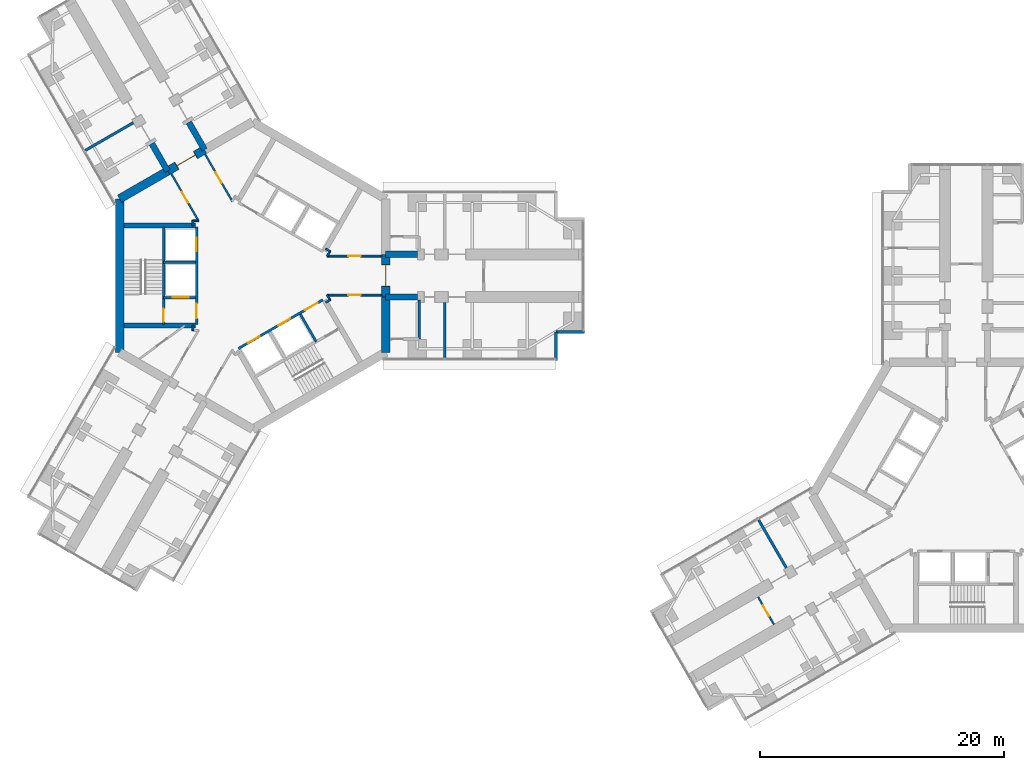
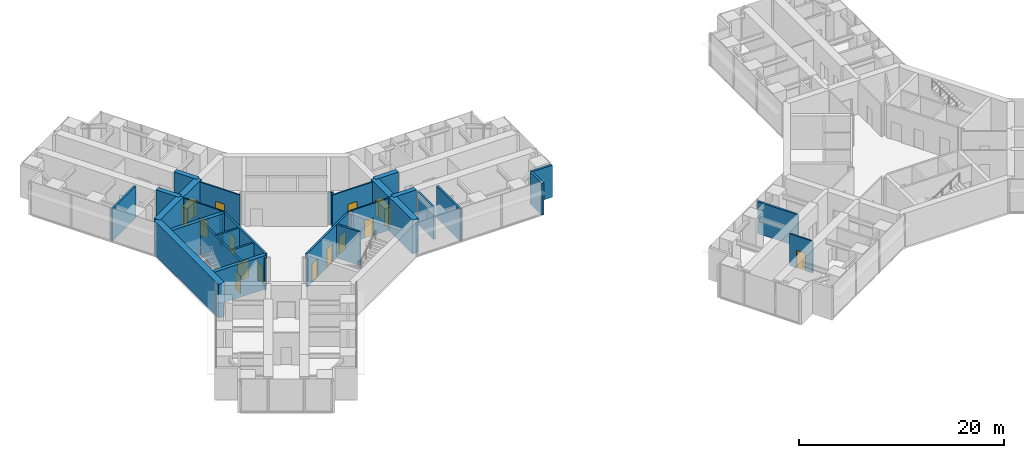
# One storey, part 17 of 23: 35 walls, 14 doors, 14 openings.
"""IFC4 building model written with IfcOpenShell, lengths in metres."""

from ifc_helpers import new_model, si_unit, direction, frame, frame_2d, origin, place, context, subcontext, project, spatial, rectangle, extrude, material, layer, layer_set, type_object, element, fill, save


model = new_model("IFC4")

# Units and contexts
model_context = context("Model", 3, precision=1e-05, world=origin(), true_north=direction((0.0, 1.0)))
body_context = subcontext(model_context, "Body", "Model", "MODEL_VIEW")
ifc_project = project(units=[si_unit("LENGTHUNIT", "METRE"), si_unit("AREAUNIT", "SQUARE_METRE"), si_unit("VOLUMEUNIT", "CUBIC_METRE"), si_unit("PLANEANGLEUNIT", "RADIAN"), si_unit("MASSUNIT", "GRAM", prefix="KILO")], contexts=[model_context])

# Site, building, storey
site_placement = place(None, origin())
site = spatial("IfcSite", under=ifc_project, at=site_placement, CompositionType="ELEMENT")
building_placement = place(site_placement, origin())
building = spatial("IfcBuilding", under=site, at=building_placement, Name="Upepo Twin Towers", CompositionType="ELEMENT")
storey_placement = place(building_placement, frame((0.0, 0.0, 32.5)))
storey = spatial("IfcBuildingStorey", under=building, at=storey_placement, Name="L07", CompositionType="ELEMENT", Elevation=32.5)

# Walls
ifc_material_1 = material(Name="Concrete blockwork, plastered both faces", Category="masonry")
ifc_layer_1 = layer(ifc_material_1, 0.215087890625)
ifc_layer_set_1 = layer_set([ifc_layer_1], Name="Blockwork partition 215")
wall_type_1 = type_object("IfcWallType", Name="Blockwork partition 215", PredefinedType="PARTITIONING", material=ifc_layer_set_1)
wall_1_placement = place(storey_placement, frame((15.75, -2.199951171875, 0.0), z_axis=(0.0, 0.0, 1.0), x_axis=(0.0, -1.0, 0.0)))
element("IfcWall", 1, at=wall_1_placement, inside=storey, type_object=wall_type_1, Name="T1 partition AR at 15.75", PredefinedType="PARTITIONING", context=body_context, shape_type="SweptSolid", body=[
    extrude(rectangle(XDim=4.550048828125, YDim=0.215087890625, at=frame_2d((2.27490234375, 0.0))), origin(), (0.0, 0.0, 1.0), 3.800048828125),
])
wall_2_placement = place(storey_placement, frame((13.657958984375, -2.0, 0.0), z_axis=(0.0, 0.0, 1.0), x_axis=(0.0, -1.0, 0.0)))
element("IfcWall", 2, at=wall_2_placement, inside=storey, type_object=wall_type_1, Name="T1 WC bay partition AR end at 13.66", PredefinedType="PARTITIONING", context=body_context, shape_type="SweptSolid", body=[
    extrude(rectangle(XDim=3.199951171875, YDim=0.215087890625, at=frame_2d((1.60009765625, 0.0))), origin(), (0.0, 0.0, 1.0), 3.800048828125),
])
for number, where, z_axis, x_axis, name in (
    (3, (-9.7802734375, 12.539794921875, 0.0), (0.0, 0.0, 1.0), (-0.866035472144, -0.499982560684, 0.0), "T1 partition BL at 15.75"),
    (4, (43.760009765625, -23.9697265625, 0.0), (0.0, 0.0, 1.0), (-0.499982560684, 0.866035472144, 0.0), "T2 partition BR at 15.75"),
):
    element("IfcWall", number, at=place(storey_placement, frame(where, z_axis=z_axis, x_axis=x_axis)), inside=storey, type_object=wall_type_1, Name=name, PredefinedType="PARTITIONING", context=body_context, shape_type="SweptSolid", body=[
        extrude(rectangle(XDim=4.550048828125, YDim=0.215087890625, at=frame_2d((2.27490234375, 0.0))), origin(), (0.0, 0.0, 1.0), 3.800048828125),
    ])
ifc_material_2 = material(Name="Concrete C60/75", Category="concrete")
ifc_layer_2 = layer(ifc_material_2, 0.5)
ifc_layer_set_2 = layer_set([ifc_layer_2], Name="Concrete C60/75")
wall_type_2 = type_object("IfcWallType", Name="Buttress wall 500 RC", PredefinedType="SHEAR", material=ifc_layer_set_2)
for number, where, z_axis, x_axis, name in (
    (5, (10.908447265625, 1.75, 0.0), (0.0, 0.0, 1.0), (1.0, 0.0, 0.0), "T1 wing A buttress wall L"),
    (6, (10.908447265625, -1.75, 0.0), (0.0, 0.0, 1.0), (1.0, 0.0, 0.0), "T1 wing A buttress wall R"),
):
    element("IfcWall", number, at=place(storey_placement, frame(where, z_axis=z_axis, x_axis=x_axis)), inside=storey, type_object=wall_type_2, Name=name, PredefinedType="SHEAR", context=body_context, shape_type="SweptSolid", body=[
        extrude(rectangle(XDim=2.591552734375, YDim=0.5, at=frame_2d((1.2958984375, 0.0))), origin(), (0.0, 0.0, 1.0), 4.0),
    ])
for number, where, z_axis, x_axis, name in (
    (7, (-6.9697265625, 8.57177734375, 0.0), (0.0, 0.0, 1.0), (-0.499988811324, 0.866031863473, 0.0), "T1 wing B buttress wall L"),
    (8, (-3.938720703125, 10.32177734375, 0.0), (0.0, 0.0, 1.0), (-0.499918158782, 0.866072649678, 0.0), "T1 wing B buttress wall R"),
):
    element("IfcWall", number, at=place(storey_placement, frame(where, z_axis=z_axis, x_axis=x_axis)), inside=storey, type_object=wall_type_2, Name=name, PredefinedType="SHEAR", context=body_context, shape_type="SweptSolid", body=[
        extrude(rectangle(XDim=2.591796875, YDim=0.5, at=frame_2d((1.2958984375, 0.0))), origin(), (0.0, 0.0, 1.0), 4.0),
    ])
ifc_material_3 = material(Name="Concrete C60/75", Category="concrete")
ifc_layer_3 = layer(ifc_material_3, 0.699951171875)
ifc_layer_set_3 = layer_set([ifc_layer_3], Name="Concrete C60/75")
wall_type_3 = type_object("IfcWallType", Name="Core wall 700 RC", PredefinedType="SHEAR", material=ifc_layer_set_3)
wall_3_placement = place(storey_placement, frame((10.908447265625, -6.2978515625, 0.0), z_axis=(0.0, 0.0, 1.0), x_axis=(0.0, 1.0, 0.0)))
element("IfcWall", 9, at=wall_3_placement, inside=storey, type_object=wall_type_3, Name="T1 core wall 000 R", PredefinedType="SHEAR", context=body_context, shape_type="SweptSolid", body=[
    extrude(rectangle(XDim=4.5478515625, YDim=0.699951171875, at=frame_2d((2.27392578125, 0.0))), origin(), (0.0, 0.0, 1.0), 4.0),
])

# Wall, opening, door
wall_4_placement = place(storey_placement, frame((10.908447265625, -1.75, 0.0), z_axis=(0.0, 0.0, 1.0), x_axis=(0.0, 1.0, 0.0)))
wall_4 = element("IfcWall", 10, at=wall_4_placement, inside=storey, type_object=wall_type_3, Name="T1 core wall 000", PredefinedType="SHEAR", context=body_context, shape_type="SweptSolid", body=[
    extrude(rectangle(XDim=3.5, YDim=0.699951171875, at=frame_2d((1.75, 0.0))), origin(), (0.0, 0.0, 1.0), 4.0),
])
opening_1_placement = place(wall_4_placement, frame((0.85009765625, 0.0, 0.0)))
opening_1 = element("IfcOpeningElement", 11, at=opening_1_placement, cuts=wall_4, Name="Opening D2", PredefinedType="OPENING", context=body_context, shape_type="SweptSolid", body=[
    extrude(rectangle(XDim=1.800048828125, YDim=2.10009765625, at=frame_2d((0.89990234375, 1.050048828125))), frame((0.0, 0.35986328125, 0.0), z_axis=(0.0, -1.0, 0.0), x_axis=(1.0, 0.0, 0.0)), (0.0, 0.0, 1.0), 0.719970703125),
])
ifc_material_4 = material(Name="Timber doorset", Category="wood")
door_type_1 = type_object("IfcDoorType", Name="Corridor double door 1800 FD60", OperationType="DOUBLE_DOOR_DOUBLE_SWING", PredefinedType="DOOR", material=ifc_material_4)
door_1_placement = place(opening_1_placement, origin())
door_1 = element("IfcDoor", 12, at=door_1_placement, inside=storey, type_object=door_type_1, Name="T1 L07 wing A corridor door", OperationType="DOUBLE_DOOR_DOUBLE_SWING", OverallHeight=2.10009765625, OverallWidth=1.800048828125, PredefinedType="DOOR", context=body_context, shape_type="SweptSolid", body=[
    extrude(rectangle(XDim=1.720048828125, YDim=2.06009765625, at=frame_2d((0.89990234375, 1.030029296875))), frame((0.0, 0.02490234375, 0.0), z_axis=(0.0, -1.0, 0.0), x_axis=(1.0, 0.0, 0.0)), (0.0, 0.0, 1.0), 0.050048828125),
    extrude(rectangle(XDim=0.04, YDim=2.10009765625, at=frame_2d((0.02001953125, 1.050048828125))), frame((0.0, 0.349609375, 0.0), z_axis=(0.0, -1.0, 0.0), x_axis=(1.0, 0.0, 0.0)), (0.0, 0.0, 1.0), 0.699462890625),
    extrude(rectangle(XDim=0.04, YDim=2.10009765625, at=frame_2d((1.780029296875, 1.050048828125))), frame((0.0, 0.349609375, 0.0), z_axis=(0.0, -1.0, 0.0), x_axis=(1.0, 0.0, 0.0)), (0.0, 0.0, 1.0), 0.699462890625),
    extrude(rectangle(XDim=1.720048828125, YDim=0.04, at=frame_2d((0.89990234375, 2.080078125))), frame((0.0, 0.349609375, 0.0), z_axis=(0.0, -1.0, 0.0), x_axis=(1.0, 0.0, 0.0)), (0.0, 0.0, 1.0), 0.699462890625),
])
fill(opening_1, door_1)

wall_5_placement = place(storey_placement, frame((-3.938720703125, 10.32177734375, 0.0), z_axis=(0.0, 0.0, 1.0), x_axis=(-0.866019471182, -0.500010275428, 0.0)))
wall_5 = element("IfcWall", 13, at=wall_5_placement, inside=storey, type_object=wall_type_3, Name="T1 core wall 120", PredefinedType="SHEAR", context=body_context, shape_type="SweptSolid", body=[
    extrude(rectangle(XDim=3.5, YDim=0.699951171875, at=frame_2d((1.75, 0.0))), origin(), (0.0, 0.0, 1.0), 4.0),
])
opening_2_placement = place(wall_5_placement, frame((0.85009765625, 0.0, 0.0)))
opening_2 = element("IfcOpeningElement", 14, at=opening_2_placement, cuts=wall_5, Name="Opening D2", PredefinedType="OPENING", context=body_context, shape_type="SweptSolid", body=[
    extrude(rectangle(XDim=1.800048828125, YDim=2.10009765625, at=frame_2d((0.89990234375, 1.050048828125))), frame((0.0, 0.35986328125, 0.0), z_axis=(0.0, -1.0, 0.0), x_axis=(1.0, 0.0, 0.0)), (0.0, 0.0, 1.0), 0.719970703125),
])
door_2_placement = place(opening_2_placement, origin())
door_2 = element("IfcDoor", 15, at=door_2_placement, inside=storey, type_object=door_type_1, Name="T1 L07 wing B corridor door", OperationType="DOUBLE_DOOR_DOUBLE_SWING", OverallHeight=2.10009765625, OverallWidth=1.800048828125, PredefinedType="DOOR", context=body_context, shape_type="SweptSolid", body=[
    extrude(rectangle(XDim=1.720048828125, YDim=2.06009765625, at=frame_2d((0.89990234375, 1.030029296875))), frame((0.0, 0.02490234375, 0.0), z_axis=(0.0, -1.0, 0.0), x_axis=(1.0, 0.0, 0.0)), (0.0, 0.0, 1.0), 0.050048828125),
    extrude(rectangle(XDim=0.04, YDim=2.10009765625, at=frame_2d((0.02001953125, 1.050048828125))), frame((0.0, 0.349609375, 0.0), z_axis=(0.0, -1.0, 0.0), x_axis=(1.0, 0.0, 0.0)), (0.0, 0.0, 1.0), 0.699462890625),
    extrude(rectangle(XDim=0.04, YDim=2.10009765625, at=frame_2d((1.780029296875, 1.050048828125))), frame((0.0, 0.349609375, 0.0), z_axis=(0.0, -1.0, 0.0), x_axis=(1.0, 0.0, 0.0)), (0.0, 0.0, 1.0), 0.699462890625),
    extrude(rectangle(XDim=1.720048828125, YDim=0.04, at=frame_2d((0.89990234375, 2.080078125))), frame((0.0, 0.349609375, 0.0), z_axis=(0.0, -1.0, 0.0), x_axis=(1.0, 0.0, 0.0)), (0.0, 0.0, 1.0), 0.699462890625),
])
fill(opening_2, door_2)

# Walls
wall_6_placement = place(storey_placement, frame((-6.9697265625, 8.57177734375, 0.0), z_axis=(0.0, 0.0, 1.0), x_axis=(-0.866034513004, -0.499984222037, 0.0)))
element("IfcWall", 16, at=wall_6_placement, inside=storey, type_object=wall_type_3, Name="T1 core wall 120 L", PredefinedType="SHEAR", context=body_context, shape_type="SweptSolid", body=[
    extrude(rectangle(XDim=4.548095703125, YDim=0.699951171875, at=frame_2d((2.27392578125, 0.0))), origin(), (0.0, 0.0, 1.0), 4.0),
])
wall_7_placement = place(storey_placement, frame((-10.908447265625, 6.2978515625, 0.0), z_axis=(0.0, 0.0, 1.0), x_axis=(0.0, -1.0, 0.0)))
element("IfcWall", 17, at=wall_7_placement, inside=storey, type_object=wall_type_3, Name="T1 core wall 180", PredefinedType="SHEAR", context=body_context, shape_type="SweptSolid", body=[
    extrude(rectangle(XDim=12.595703125, YDim=0.699951171875, at=frame_2d((6.2978515625, 0.0))), origin(), (0.0, 0.0, 1.0), 4.0),
])
ifc_material_5 = material(Name="Blockwork with anodised aluminium cladding", Category="masonry")
ifc_layer_4 = layer(ifc_material_5, 0.25)
ifc_layer_set_4 = layer_set([ifc_layer_4], Name="Notch cladding wall 250, pale metal")
wall_type_4 = type_object("IfcWallType", Name="Notch cladding wall 250, pale metal", PredefinedType="STANDARD", material=ifc_layer_set_4)
for number, where, z_axis, x_axis, name in (
    (18, (24.875, -6.949951171875, 0.0), (0.0, 0.0, 1.0), (0.0, 1.0, 0.0), "T1 L07 wing A notch wall R1"),
    (19, (24.875, -4.625, 0.0), (0.0, 0.0, 1.0), (1.0, 0.0, 0.0), "T1 L07 wing A notch wall R2"),
):
    element("IfcWall", number, at=place(storey_placement, frame(where, z_axis=z_axis, x_axis=x_axis)), inside=storey, type_object=wall_type_4, Name=name, PredefinedType="STANDARD", context=body_context, shape_type="SweptSolid", body=[
        extrude(rectangle(XDim=2.324951171875, YDim=0.25, at=frame_2d((1.16259765625, 0.0))), origin(), (0.0, 0.0, 1.0), 3.800048828125),
    ])

# Wall, openings, doors
ifc_material_6 = material(Name="Concrete C40/50", Category="concrete")
ifc_layer_5 = layer(ifc_material_6, 0.199951171875)
ifc_layer_set_5 = layer_set([ifc_layer_5], Name="Concrete C40/50")
wall_type_5 = type_object("IfcWallType", Name="Shaft wall 200 RC", PredefinedType="SHEAR", material=ifc_layer_set_5)
wall_8_placement = place(storey_placement, frame((-4.60009765625, 4.0, 0.0), z_axis=(0.0, 0.0, 1.0), x_axis=(0.0, -1.0, 0.0)))
wall_8 = element("IfcWall", 20, at=wall_8_placement, inside=storey, type_object=wall_type_5, Name="T1 core W180 front wall", PredefinedType="SHEAR", context=body_context, shape_type="SweptSolid", body=[
    extrude(rectangle(XDim=8.0, YDim=0.199951171875, at=frame_2d((4.0, 0.0))), origin(), (0.0, 0.0, 1.0), 4.0),
])
opening_3_placement = place(wall_8_placement, frame((6.300048828125, 0.0, 0.0)))
opening_3 = element("IfcOpeningElement", 21, at=opening_3_placement, cuts=wall_8, Name="Opening D4", PredefinedType="OPENING", context=body_context, shape_type="SweptSolid", body=[
    extrude(rectangle(XDim=1.199951171875, YDim=2.10009765625, at=frame_2d((0.60009765625, 1.050048828125))), frame((0.0, 0.10986328125, 0.0), z_axis=(0.0, -1.0, 0.0), x_axis=(1.0, 0.0, 0.0)), (0.0, 0.0, 1.0), 0.219970703125),
])
opening_4_placement = place(wall_8_placement, frame((0.89990234375, 0.0, 0.0)))
opening_4 = element("IfcOpeningElement", 22, at=opening_4_placement, cuts=wall_8, Name="Opening LD1", PredefinedType="OPENING", context=body_context, shape_type="SweptSolid", body=[
    extrude(rectangle(XDim=1.10009765625, YDim=2.199951171875, at=frame_2d((0.550048828125, 1.10009765625))), frame((0.0, 0.10986328125, 0.0), z_axis=(0.0, -1.0, 0.0), x_axis=(1.0, 0.0, 0.0)), (0.0, 0.0, 1.0), 0.219970703125),
])
ifc_material_7 = material(Name="Steel doorset", Category="steel")
door_type_2 = type_object("IfcDoorType", Name="Lift landing door 1100", OperationType="DOUBLE_DOOR_SLIDING", PredefinedType="DOOR", material=ifc_material_7)
door_3_placement = place(opening_4_placement, origin())
door_3 = element("IfcDoor", 23, at=door_3_placement, inside=storey, type_object=door_type_2, Name="T1 L07 lift SV1 landing door", OperationType="DOUBLE_DOOR_SLIDING", OverallHeight=2.199951171875, OverallWidth=1.10009765625, PredefinedType="DOOR", context=body_context, shape_type="SweptSolid", body=[
    extrude(rectangle(XDim=1.10009765625, YDim=2.199951171875, at=frame_2d((0.550048828125, 1.10009765625))), frame((0.0, 0.02490234375, 0.0), z_axis=(0.0, -1.0, 0.0), x_axis=(1.0, 0.0, 0.0)), (0.0, 0.0, 1.0), 0.050048828125),
])
fill(opening_4, door_3)
ifc_material_8 = material(Name="Timber doorset", Category="wood")
door_type_3 = type_object("IfcDoorType", Name="Lobby door 1200 FD60", OperationType="SINGLE_SWING_LEFT", PredefinedType="DOOR", material=ifc_material_8)
door_4_placement = place(opening_3_placement, origin())
door_4 = element("IfcDoor", 24, at=door_4_placement, inside=storey, type_object=door_type_3, Name="T1 L07 W180 lobby door", OperationType="SINGLE_SWING_RIGHT", OverallHeight=2.10009765625, OverallWidth=1.199951171875, PredefinedType="DOOR", context=body_context, shape_type="SweptSolid", body=[
    extrude(rectangle(XDim=1.199951171875, YDim=2.10009765625, at=frame_2d((0.60009765625, 1.050048828125))), frame((0.0, 0.02490234375, 0.0), z_axis=(0.0, -1.0, 0.0), x_axis=(1.0, 0.0, 0.0)), (0.0, 0.0, 1.0), 0.050048828125),
])
fill(opening_3, door_4)

# Wall
wall_9_placement = place(storey_placement, frame((-4.699951171875, 1.10009765625, 0.0), z_axis=(0.0, 0.0, 1.0), x_axis=(-1.0, 0.0, 0.0)))
element("IfcWall", 25, at=wall_9_placement, inside=storey, type_object=wall_type_5, Name="T1 core W180 shaft divider", PredefinedType="SHEAR", context=body_context, shape_type="SweptSolid", body=[
    extrude(rectangle(XDim=2.60009765625, YDim=0.199951171875, at=frame_2d((1.300048828125, 0.0))), origin(), (0.0, 0.0, 1.0), 4.0),
])

# Wall, opening, door
wall_10_placement = place(storey_placement, frame((-4.699951171875, -1.800048828125, 0.0), z_axis=(0.0, 0.0, 1.0), x_axis=(-1.0, 0.0, 0.0)))
wall_10 = element("IfcWall", 26, at=wall_10_placement, inside=storey, type_object=wall_type_5, Name="T1 core W180 lobby wall", PredefinedType="SHEAR", context=body_context, shape_type="SweptSolid", body=[
    extrude(rectangle(XDim=2.60009765625, YDim=0.199951171875, at=frame_2d((1.300048828125, 0.0))), origin(), (0.0, 0.0, 1.0), 4.0),
])
opening_5_placement = place(wall_10_placement, frame((0.550048828125, 0.0, 0.0)))
opening_5 = element("IfcOpeningElement", 27, at=opening_5_placement, cuts=wall_10, Name="Opening LD2", PredefinedType="OPENING", context=body_context, shape_type="SweptSolid", body=[
    extrude(rectangle(XDim=1.300048828125, YDim=2.199951171875, at=frame_2d((0.64990234375, 1.10009765625))), frame((0.0, 0.10986328125, 0.0), z_axis=(0.0, -1.0, 0.0), x_axis=(1.0, 0.0, 0.0)), (0.0, 0.0, 1.0), 0.219970703125),
])
ifc_material_9 = material(Name="Steel doorset", Category="steel")
door_type_4 = type_object("IfcDoorType", Name="Firefighting lift landing door 1300", OperationType="DOUBLE_DOOR_SLIDING", PredefinedType="DOOR", material=ifc_material_9)
door_5_placement = place(opening_5_placement, origin())
door_5 = element("IfcDoor", 28, at=door_5_placement, inside=storey, type_object=door_type_4, Name="T1 L07 firefighting lift landing door", OperationType="DOUBLE_DOOR_SLIDING", OverallHeight=2.199951171875, OverallWidth=1.300048828125, PredefinedType="DOOR", context=body_context, shape_type="SweptSolid", body=[
    extrude(rectangle(XDim=1.300048828125, YDim=2.199951171875, at=frame_2d((0.64990234375, 1.10009765625))), frame((0.0, 0.02490234375, 0.0), z_axis=(0.0, -1.0, 0.0), x_axis=(1.0, 0.0, 0.0)), (0.0, 0.0, 1.0), 0.050048828125),
])
fill(opening_5, door_5)

wall_11_placement = place(storey_placement, frame((-7.300048828125, 4.0, 0.0), z_axis=(0.0, 0.0, 1.0), x_axis=(0.0, -1.0, 0.0)))
wall_11 = element("IfcWall", 29, at=wall_11_placement, inside=storey, type_object=wall_type_5, Name="T1 core W180 stair wall", PredefinedType="SHEAR", context=body_context, shape_type="SweptSolid", body=[
    extrude(rectangle(XDim=8.0, YDim=0.199951171875, at=frame_2d((4.0, 0.0))), origin(), (0.0, 0.0, 1.0), 4.0),
])
opening_6_placement = place(wall_11_placement, frame((6.699951171875, 0.0, 0.0)))
opening_6 = element("IfcOpeningElement", 30, at=opening_6_placement, cuts=wall_11, Name="Opening D3", PredefinedType="OPENING", context=body_context, shape_type="SweptSolid", body=[
    extrude(rectangle(XDim=1.10009765625, YDim=2.10009765625, at=frame_2d((0.550048828125, 1.050048828125))), frame((0.0, 0.10986328125, 0.0), z_axis=(0.0, -1.0, 0.0), x_axis=(1.0, 0.0, 0.0)), (0.0, 0.0, 1.0), 0.219970703125),
])
ifc_material_10 = material(Name="Timber doorset", Category="wood")
door_type_5 = type_object("IfcDoorType", Name="Stair door 1100 FD60", OperationType="SINGLE_SWING_LEFT", PredefinedType="DOOR", material=ifc_material_10)
door_6_placement = place(opening_6_placement, origin())
door_6 = element("IfcDoor", 31, at=door_6_placement, inside=storey, type_object=door_type_5, Name="T1 L07 stair door", OperationType="SINGLE_SWING_RIGHT", OverallHeight=2.10009765625, OverallWidth=1.10009765625, PredefinedType="DOOR", context=body_context, shape_type="SweptSolid", body=[
    extrude(rectangle(XDim=1.10009765625, YDim=2.10009765625, at=frame_2d((0.550048828125, 1.050048828125))), frame((0.0, 0.02490234375, 0.0), z_axis=(0.0, -1.0, 0.0), x_axis=(1.0, 0.0, 0.0)), (0.0, 0.0, 1.0), 0.050048828125),
])
fill(opening_6, door_6)

# Wall, openings, doors
wall_12_placement = place(storey_placement, frame((-1.1640625, -5.983642578125, 0.0), z_axis=(0.0, 0.0, 1.0), x_axis=(0.866026010844, 0.49999894854, 0.0)))
wall_12 = element("IfcWall", 32, at=wall_12_placement, inside=storey, type_object=wall_type_5, Name="T1 core W300 front wall", PredefinedType="SHEAR", context=body_context, shape_type="SweptSolid", body=[
    extrude(rectangle(XDim=8.0, YDim=0.199951171875, at=frame_2d((4.0, 0.0))), origin(), (0.0, 0.0, 1.0), 4.0),
])
opening_7_placement = place(wall_12_placement, frame((6.300048828125, 0.0, 0.0)))
opening_7 = element("IfcOpeningElement", 33, at=opening_7_placement, cuts=wall_12, Name="Opening D4", PredefinedType="OPENING", context=body_context, shape_type="SweptSolid", body=[
    extrude(rectangle(XDim=1.199951171875, YDim=2.10009765625, at=frame_2d((0.60009765625, 1.050048828125))), frame((0.0, 0.10986328125, 0.0), z_axis=(0.0, -1.0, 0.0), x_axis=(1.0, 0.0, 0.0)), (0.0, 0.0, 1.0), 0.219970703125),
])
opening_8_placement = place(wall_12_placement, frame((0.89990234375, 0.0, 0.0)))
opening_8 = element("IfcOpeningElement", 34, at=opening_8_placement, cuts=wall_12, Name="Opening LD1", PredefinedType="OPENING", context=body_context, shape_type="SweptSolid", body=[
    extrude(rectangle(XDim=1.10009765625, YDim=2.199951171875, at=frame_2d((0.550048828125, 1.10009765625))), frame((0.0, 0.10986328125, 0.0), z_axis=(0.0, -1.0, 0.0), x_axis=(1.0, 0.0, 0.0)), (0.0, 0.0, 1.0), 0.219970703125),
])
opening_9_placement = place(wall_12_placement, frame((3.800048828125, 0.0, 0.0)))
opening_9 = element("IfcOpeningElement", 35, at=opening_9_placement, cuts=wall_12, Name="Opening LD1", PredefinedType="OPENING", context=body_context, shape_type="SweptSolid", body=[
    extrude(rectangle(XDim=1.10009765625, YDim=2.199951171875, at=frame_2d((0.550048828125, 1.10009765625))), frame((0.0, 0.10986328125, 0.0), z_axis=(0.0, -1.0, 0.0), x_axis=(1.0, 0.0, 0.0)), (0.0, 0.0, 1.0), 0.219970703125),
])
door_7_placement = place(opening_8_placement, origin())
door_7 = element("IfcDoor", 36, at=door_7_placement, inside=storey, type_object=door_type_2, Name="T1 L07 lift LL1 landing door", OperationType="DOUBLE_DOOR_SLIDING", OverallHeight=2.199951171875, OverallWidth=1.10009765625, PredefinedType="DOOR", context=body_context, shape_type="SweptSolid", body=[
    extrude(rectangle(XDim=1.10009765625, YDim=2.199951171875, at=frame_2d((0.550048828125, 1.10009765625))), frame((0.0, 0.02490234375, 0.0), z_axis=(0.0, -1.0, 0.0), x_axis=(1.0, 0.0, 0.0)), (0.0, 0.0, 1.0), 0.050048828125),
])
fill(opening_8, door_7)
door_8_placement = place(opening_9_placement, origin())
door_8 = element("IfcDoor", 37, at=door_8_placement, inside=storey, type_object=door_type_2, Name="T1 L07 lift LL2 landing door", OperationType="DOUBLE_DOOR_SLIDING", OverallHeight=2.199951171875, OverallWidth=1.10009765625, PredefinedType="DOOR", context=body_context, shape_type="SweptSolid", body=[
    extrude(rectangle(XDim=1.10009765625, YDim=2.199951171875, at=frame_2d((0.550048828125, 1.10009765625))), frame((0.0, 0.02490234375, 0.0), z_axis=(0.0, -1.0, 0.0), x_axis=(1.0, 0.0, 0.0)), (0.0, 0.0, 1.0), 0.050048828125),
])
fill(opening_9, door_8)
door_9_placement = place(opening_7_placement, origin())
door_9 = element("IfcDoor", 38, at=door_9_placement, inside=storey, type_object=door_type_3, Name="T1 L07 W300 lobby door", OperationType="SINGLE_SWING_RIGHT", OverallHeight=2.10009765625, OverallWidth=1.199951171875, PredefinedType="DOOR", context=body_context, shape_type="SweptSolid", body=[
    extrude(rectangle(XDim=1.199951171875, YDim=2.10009765625, at=frame_2d((0.60009765625, 1.050048828125))), frame((0.0, 0.02490234375, 0.0), z_axis=(0.0, -1.0, 0.0), x_axis=(1.0, 0.0, 0.0)), (0.0, 0.0, 1.0), 0.050048828125),
])
fill(opening_7, door_9)

# Walls
wall_13_placement = place(storey_placement, frame((3.908935546875, -3.17041015625, 0.0), z_axis=(0.0, 0.0, 1.0), x_axis=(0.49997716683, -0.86603858612, 0.0)))
element("IfcWall", 39, at=wall_13_placement, inside=storey, type_object=wall_type_5, Name="T1 core W300 lobby wall", PredefinedType="SHEAR", context=body_context, shape_type="SweptSolid", body=[
    extrude(rectangle(XDim=2.599609375, YDim=0.199951171875, at=frame_2d((1.2998046875, 0.0))), origin(), (0.0, 0.0, 1.0), 4.0),
])
ifc_material_11 = material(Name="Concrete C40/50", Category="concrete")
ifc_layer_6 = layer(ifc_material_11, 0.39990234375)
ifc_layer_set_6 = layer_set([ifc_layer_6], Name="Concrete C40/50")
wall_type_6 = type_object("IfcWallType", Name="Shaft wall 400 RC", PredefinedType="SHEAR", material=ifc_layer_set_6)
for number, where, z_axis, x_axis, name in (
    (40, (-4.699951171875, -4.10009765625, 0.0), (0.0, 0.0, 1.0), (-1.0, 0.0, 0.0), "T1 core W180 side wall N"),
    (41, (-4.699951171875, 4.10009765625, 0.0), (0.0, 0.0, 1.0), (-1.0, 0.0, 0.0), "T1 core W180 side wall S"),
):
    element("IfcWall", number, at=place(storey_placement, frame(where, z_axis=z_axis, x_axis=x_axis)), inside=storey, type_object=wall_type_6, Name=name, PredefinedType="SHEAR", context=body_context, shape_type="SweptSolid", body=[
        extrude(rectangle(XDim=5.8583984375, YDim=0.39990234375, at=frame_2d((2.92919921875, 0.0))), origin(), (0.0, 0.0, 1.0), 4.0),
    ])
ifc_material_12 = material(Name="Gypsum board on steel studs", Category="steel")
ifc_layer_7 = layer(ifc_material_12, 0.14990234375)
ifc_layer_set_7 = layer_set([ifc_layer_7], Name="Teaching partition 150 acoustic")
wall_type_7 = type_object("IfcWallType", Name="Teaching partition 150 acoustic", PredefinedType="PARTITIONING", material=ifc_layer_set_7)
for number, where, z_axis, x_axis, name in (
    (42, (6.364501953125, -1.9833984375, 0.0), (0.0, 0.0, 1.0), (-0.865892400268, -0.500230298122, 0.0), "T1 core room partition 1"),
    (43, (-4.89990234375, -4.52001953125, 0.0), (0.0, 0.0, 1.0), (0.0, 1.0, 0.0), "T1 core room partition 7"),
    (44, (-4.89990234375, 4.090087890625, 0.0), (0.0, 0.0, 1.0), (0.0, 1.0, 0.0), "T1 core room partition 8"),
):
    element("IfcWall", number, at=place(storey_placement, frame(where, z_axis=z_axis, x_axis=x_axis)), inside=storey, type_object=wall_type_7, Name=name, PredefinedType="PARTITIONING", context=body_context, shape_type="SweptSolid", body=[
        extrude(rectangle(XDim=0.429931640625, YDim=0.14990234375, at=frame_2d((0.21484375, 0.0))), origin(), (0.0, 0.0, 1.0), 3.800048828125),
    ])
wall_14_placement = place(storey_placement, frame((-4.919921875, 4.5, 0.0), z_axis=(0.0, 0.0, 1.0), x_axis=(1.0, 0.0, 0.0)))
element("IfcWall", 45, at=wall_14_placement, inside=storey, type_object=wall_type_7, Name="T1 core room partition 9", PredefinedType="PARTITIONING", context=body_context, shape_type="SweptSolid", body=[
    extrude(rectangle(XDim=0.494384765625, YDim=0.14990234375, at=frame_2d((0.2470703125, 0.0))), origin(), (0.0, 0.0, 1.0), 3.800048828125),
])

# Wall, opening, door
wall_15_placement = place(storey_placement, frame((-4.435546875, 4.482666015625, 0.0), z_axis=(0.0, 0.0, 1.0), x_axis=(-0.500017246033, 0.866015446554, 0.0)))
wall_15 = element("IfcWall", 46, at=wall_15_placement, inside=storey, type_object=wall_type_7, Name="T1 core room partition 10", PredefinedType="PARTITIONING", context=body_context, shape_type="SweptSolid", body=[
    extrude(rectangle(XDim=4.468505859375, YDim=0.14990234375, at=frame_2d((2.234375, 0.0))), origin(), (0.0, 0.0, 1.0), 3.800048828125),
])
opening_10_placement = place(wall_15_placement, frame((1.744384765625, 0.0, 0.0)))
opening_10 = element("IfcOpeningElement", 47, at=opening_10_placement, cuts=wall_15, Name="Opening D1", PredefinedType="OPENING", context=body_context, shape_type="SweptSolid", body=[
    extrude(rectangle(XDim=1.0, YDim=2.10009765625, at=frame_2d((0.5, 1.050048828125))), frame((0.0, 0.0849609375, 0.0), z_axis=(0.0, -1.0, 0.0), x_axis=(1.0, 0.0, 0.0)), (0.0, 0.0, 1.0), 0.169921875),
])
ifc_material_13 = material(Name="Timber doorset", Category="wood")
door_type_6 = type_object("IfcDoorType", Name="Room door 1000 FD30", OperationType="SINGLE_SWING_LEFT", PredefinedType="DOOR", material=ifc_material_13)
door_10_placement = place(opening_10_placement, origin())
door_10 = element("IfcDoor", 48, at=door_10_placement, inside=storey, type_object=door_type_6, Name="T1 L07 core room door K7", OperationType="SINGLE_SWING_RIGHT", OverallHeight=2.10009765625, OverallWidth=1.0, PredefinedType="DOOR", context=body_context, shape_type="SweptSolid", body=[
    extrude(rectangle(XDim=1.0, YDim=2.10009765625, at=frame_2d((0.5, 1.050048828125))), frame((0.0, 0.02490234375, 0.0), z_axis=(0.0, -1.0, 0.0), x_axis=(1.0, 0.0, 0.0)), (0.0, 0.0, 1.0), 0.050048828125),
])
fill(opening_10, door_10)

wall_16_placement = place(storey_placement, frame((-3.8984375, 9.952392578125, 0.0), z_axis=(0.0, 0.0, 1.0), x_axis=(0.499999927604, -0.866025445582, 0.0)))
wall_16 = element("IfcWall", 49, at=wall_16_placement, inside=storey, type_object=wall_type_7, Name="T1 core room partition 11", PredefinedType="PARTITIONING", context=body_context, shape_type="SweptSolid", body=[
    extrude(rectangle(XDim=4.46826171875, YDim=0.14990234375, at=frame_2d((2.234130859375, 0.0))), origin(), (0.0, 0.0, 1.0), 3.800048828125),
])
opening_11_placement = place(wall_16_placement, frame((1.72412109375, 0.0, 0.0)))
opening_11 = element("IfcOpeningElement", 50, at=opening_11_placement, cuts=wall_16, Name="Opening D1", PredefinedType="OPENING", context=body_context, shape_type="SweptSolid", body=[
    extrude(rectangle(XDim=1.0, YDim=2.10009765625, at=frame_2d((0.5, 1.050048828125))), frame((0.0, 0.0849609375, 0.0), z_axis=(0.0, -1.0, 0.0), x_axis=(1.0, 0.0, 0.0)), (0.0, 0.0, 1.0), 0.169921875),
])
door_11_placement = place(opening_11_placement, origin())
door_11 = element("IfcDoor", 51, at=door_11_placement, inside=storey, type_object=door_type_6, Name="T1 L07 core room door K6", OperationType="SINGLE_SWING_LEFT", OverallHeight=2.10009765625, OverallWidth=1.0, PredefinedType="DOOR", context=body_context, shape_type="SweptSolid", body=[
    extrude(rectangle(XDim=1.0, YDim=2.10009765625, at=frame_2d((0.5, 1.050048828125))), frame((0.0, 0.02490234375, 0.0), z_axis=(0.0, -1.0, 0.0), x_axis=(1.0, 0.0, 0.0)), (0.0, 0.0, 1.0), 0.050048828125),
])
fill(opening_11, door_11)

# Walls
wall_17_placement = place(storey_placement, frame((5.9921875, 2.198486328125, 0.0), z_axis=(0.0, 0.0, 1.0), x_axis=(0.865892400268, -0.500230298122, 0.0)))
element("IfcWall", 52, at=wall_17_placement, inside=storey, type_object=wall_type_7, Name="T1 core room partition 14", PredefinedType="PARTITIONING", context=body_context, shape_type="SweptSolid", body=[
    extrude(rectangle(XDim=0.429931640625, YDim=0.14990234375, at=frame_2d((0.21484375, 0.0))), origin(), (0.0, 0.0, 1.0), 3.800048828125),
])
wall_18_placement = place(storey_placement, frame((6.357177734375, 2.0107421875, 0.0), z_axis=(0.0, 0.0, 1.0), x_axis=(-0.50033519877, -0.865831790172, 0.0)))
element("IfcWall", 53, at=wall_18_placement, inside=storey, type_object=wall_type_7, Name="T1 core room partition 15", PredefinedType="PARTITIONING", context=body_context, shape_type="SweptSolid", body=[
    extrude(rectangle(XDim=0.494384765625, YDim=0.14990234375, at=frame_2d((0.2470703125, 0.0))), origin(), (0.0, 0.0, 1.0), 3.800048828125),
])

# Wall, opening, door
wall_19_placement = place(storey_placement, frame((6.099853515625, 1.60009765625, 0.0), z_axis=(0.0, 0.0, 1.0), x_axis=(1.0, 0.0, 0.0)))
wall_19 = element("IfcWall", 54, at=wall_19_placement, inside=storey, type_object=wall_type_7, Name="T1 core room partition 16", PredefinedType="PARTITIONING", context=body_context, shape_type="SweptSolid", body=[
    extrude(rectangle(XDim=4.468505859375, YDim=0.14990234375, at=frame_2d((2.234375, 0.0))), origin(), (0.0, 0.0, 1.0), 3.800048828125),
])
opening_12_placement = place(wall_19_placement, frame((1.744384765625, 0.0, 0.0)))
opening_12 = element("IfcOpeningElement", 55, at=opening_12_placement, cuts=wall_19, Name="Opening D1", PredefinedType="OPENING", context=body_context, shape_type="SweptSolid", body=[
    extrude(rectangle(XDim=1.0, YDim=2.10009765625, at=frame_2d((0.5, 1.050048828125))), frame((0.0, 0.0849609375, 0.0), z_axis=(0.0, -1.0, 0.0), x_axis=(1.0, 0.0, 0.0)), (0.0, 0.0, 1.0), 0.169921875),
])
door_12_placement = place(opening_12_placement, origin())
door_12 = element("IfcDoor", 56, at=door_12_placement, inside=storey, type_object=door_type_6, Name="T1 L07 core room door K5", OperationType="SINGLE_SWING_RIGHT", OverallHeight=2.10009765625, OverallWidth=1.0, PredefinedType="DOOR", context=body_context, shape_type="SweptSolid", body=[
    extrude(rectangle(XDim=1.0, YDim=2.10009765625, at=frame_2d((0.5, 1.050048828125))), frame((0.0, 0.02490234375, 0.0), z_axis=(0.0, -1.0, 0.0), x_axis=(1.0, 0.0, 0.0)), (0.0, 0.0, 1.0), 0.050048828125),
])
fill(opening_12, door_12)

wall_20_placement = place(storey_placement, frame((10.568359375, -1.60009765625, 0.0), z_axis=(0.0, 0.0, 1.0), x_axis=(-1.0, 0.0, 0.0)))
wall_20 = element("IfcWall", 57, at=wall_20_placement, inside=storey, type_object=wall_type_7, Name="T1 core room partition 17", PredefinedType="PARTITIONING", context=body_context, shape_type="SweptSolid", body=[
    extrude(rectangle(XDim=4.468505859375, YDim=0.14990234375, at=frame_2d((2.234375, 0.0))), origin(), (0.0, 0.0, 1.0), 3.800048828125),
])
opening_13_placement = place(wall_20_placement, frame((1.72412109375, 0.0, 0.0)))
opening_13 = element("IfcOpeningElement", 58, at=opening_13_placement, cuts=wall_20, Name="Opening D1", PredefinedType="OPENING", context=body_context, shape_type="SweptSolid", body=[
    extrude(rectangle(XDim=1.0, YDim=2.10009765625, at=frame_2d((0.5, 1.050048828125))), frame((0.0, 0.0849609375, 0.0), z_axis=(0.0, -1.0, 0.0), x_axis=(1.0, 0.0, 0.0)), (0.0, 0.0, 1.0), 0.169921875),
])
door_13_placement = place(opening_13_placement, origin())
door_13 = element("IfcDoor", 59, at=door_13_placement, inside=storey, type_object=door_type_6, Name="T1 L07 core room door K4", OperationType="SINGLE_SWING_LEFT", OverallHeight=2.10009765625, OverallWidth=1.0, PredefinedType="DOOR", context=body_context, shape_type="SweptSolid", body=[
    extrude(rectangle(XDim=1.0, YDim=2.10009765625, at=frame_2d((0.5, 1.050048828125))), frame((0.0, 0.02490234375, 0.0), z_axis=(0.0, -1.0, 0.0), x_axis=(1.0, 0.0, 0.0)), (0.0, 0.0, 1.0), 0.050048828125),
])
fill(opening_13, door_13)

# Wall
wall_21_placement = place(storey_placement, frame((6.10986328125, -1.582763671875, 0.0), z_axis=(0.0, 0.0, 1.0), x_axis=(0.50033519877, -0.865831790172, 0.0)))
element("IfcWall", 60, at=wall_21_placement, inside=storey, type_object=wall_type_7, Name="T1 core room partition 18", PredefinedType="PARTITIONING", context=body_context, shape_type="SweptSolid", body=[
    extrude(rectangle(XDim=0.494384765625, YDim=0.14990234375, at=frame_2d((0.2470703125, 0.0))), origin(), (0.0, 0.0, 1.0), 3.800048828125),
])

# Wall, opening, door
wall_22_placement = place(storey_placement, frame((41.438720703125, -26.34912109375, 0.0), z_axis=(0.0, 0.0, 1.0), x_axis=(0.500006934395, -0.866021400173, 0.0)))
wall_22 = element("IfcWall", 61, at=wall_22_placement, inside=storey, type_object=wall_type_7, Name="T2 corridor end partition B at 18.95", PredefinedType="PARTITIONING", context=body_context, shape_type="SweptSolid", body=[
    extrude(rectangle(XDim=2.60009765625, YDim=0.14990234375, at=frame_2d((1.300048828125, 0.0))), origin(), (0.0, 0.0, 1.0), 3.800048828125),
])
opening_14_placement = place(wall_22_placement, frame((0.800048828125, 0.0, 0.0)))
opening_14 = element("IfcOpeningElement", 62, at=opening_14_placement, cuts=wall_22, Name="Opening D1", PredefinedType="OPENING", context=body_context, shape_type="SweptSolid", body=[
    extrude(rectangle(XDim=1.0, YDim=2.10009765625, at=frame_2d((0.5, 1.050048828125))), frame((0.0, 0.0849609375, 0.0), z_axis=(0.0, -1.0, 0.0), x_axis=(1.0, 0.0, 0.0)), (0.0, 0.0, 1.0), 0.169921875),
])
door_14_placement = place(opening_14_placement, origin())
door_14 = element("IfcDoor", 63, at=door_14_placement, inside=storey, type_object=door_type_6, Name="T2 L07 breakout study room door", OperationType="SINGLE_SWING_LEFT", OverallHeight=2.10009765625, OverallWidth=1.0, PredefinedType="DOOR", context=body_context, shape_type="SweptSolid", body=[
    extrude(rectangle(XDim=1.0, YDim=2.10009765625, at=frame_2d((0.5, 1.050048828125))), frame((0.0, 0.02490234375, 0.0), z_axis=(0.0, -1.0, 0.0), x_axis=(1.0, 0.0, 0.0)), (0.0, 0.0, 1.0), 0.050048828125),
])
fill(opening_14, door_14)

save(model, "model.ifc")
